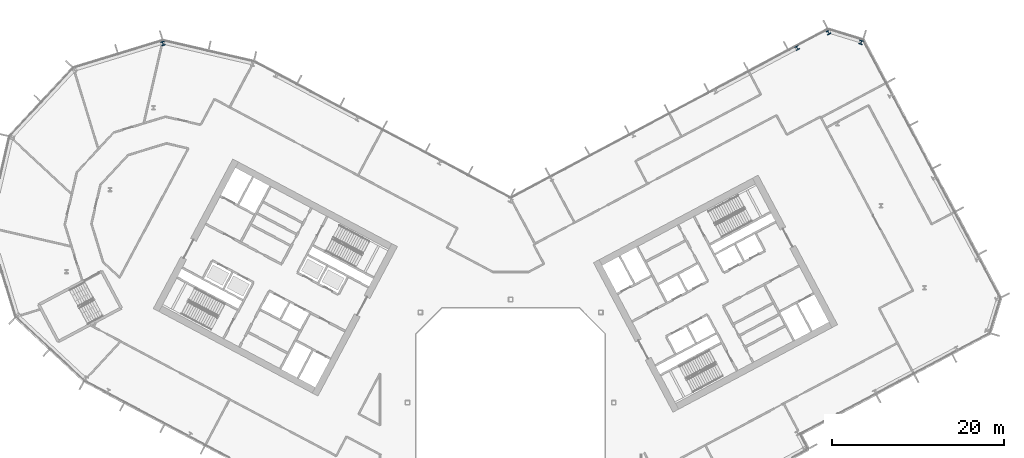
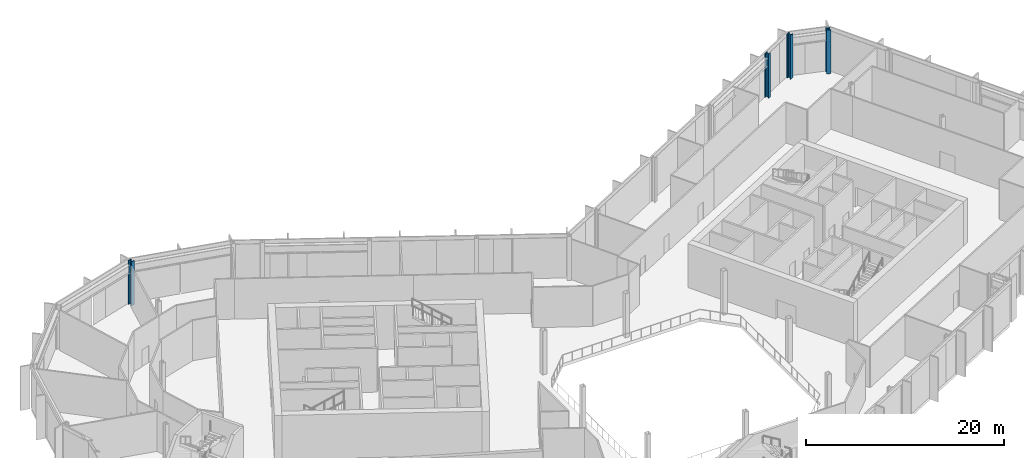
# One storey, part 8 of 31: 4 columns.
"""IFC4 building model written with IfcOpenShell, lengths in metres."""

from ifc_helpers import new_model, si_unit, direction, frame, origin, origin_2d, place, context, subcontext, project, spatial, i_section, extrude, material, material_profile, profile_set, type_object, element, save


model = new_model("IFC4")

# Units and contexts
model_context = context("Model", 3, precision=1e-05, world=origin(), true_north=direction((0.0, 1.0)))
body_context = subcontext(model_context, "Body", "Model", "MODEL_VIEW")
ifc_project = project(units=[si_unit("LENGTHUNIT", "METRE"), si_unit("AREAUNIT", "SQUARE_METRE"), si_unit("VOLUMEUNIT", "CUBIC_METRE"), si_unit("PLANEANGLEUNIT", "RADIAN"), si_unit("MASSUNIT", "GRAM", prefix="KILO")], contexts=[model_context])

# Site, building, storey
site_placement = place(None, origin())
site = spatial("IfcSite", under=ifc_project, at=site_placement, CompositionType="ELEMENT")
building_placement = place(site_placement, origin())
building = spatial("IfcBuilding", under=site, at=building_placement, Name="Cormorant Relay Tower", CompositionType="ELEMENT")
storey_placement = place(building_placement, frame((0.0, 0.0, 178.199951171875)))
storey = spatial("IfcBuildingStorey", under=building, at=storey_placement, Name="L38", CompositionType="ELEMENT", Elevation=178.199951171875)

# Columns
ifc_material_1 = material(Name="Steel ASTM A992 (Fy 345 MPa)", Category="steel")
ifc_material_profile_1 = material_profile(ifc_material_1, i_section(OverallWidth=0.41162109375, OverallDepth=0.434326171875, WebThickness=0.035888671875, FlangeThickness=0.057373046875, FilletRadius=0.01513671875, at=origin_2d()), Name="W360x463")
ifc_profile_set_1 = profile_set([ifc_material_profile_1], Name="Steel ASTM A992 (Fy 345 MPa)")
column_type_1 = type_object("IfcColumnType", Name="Column W360x463", PredefinedType="COLUMN", material=ifc_profile_set_1)
column_placement = place(storey_placement, frame((33.33203125, 41.258056640625, 0.0), z_axis=(0.0, 0.0, 1.0), x_axis=(-0.882947592859, -0.469471562786, 0.0)))
element("IfcColumn", 1, at=column_placement, inside=storey, type_object=column_type_1, Name="Column L38-047", PredefinedType="COLUMN", context=body_context, shape_type="SweptSolid", body=[
    extrude(i_section(OverallWidth=0.41162109375, OverallDepth=0.434326171875, WebThickness=0.035888671875, FlangeThickness=0.057373046875, FilletRadius=0.01513671875, at=origin_2d()), origin(), (0.0, 0.0, 1.0), 5.400146484375),
])
ifc_material_2 = material(Name="Steel ASTM A992 (Fy 345 MPa)", Category="steel")
ifc_material_profile_2 = material_profile(ifc_material_2, i_section(OverallWidth=0.42431640625, OverallDepth=0.47509765625, WebThickness=0.0478515625, FlangeThickness=0.0771484375, FilletRadius=0.014892578125, at=origin_2d()), Name="W360x634")
ifc_profile_set_2 = profile_set([ifc_material_profile_2], Name="Steel ASTM A992 (Fy 345 MPa)")
column_type_2 = type_object("IfcColumnType", Name="Column W360x634", PredefinedType="COLUMN", material=ifc_profile_set_2)
for number, where, z_axis, x_axis, name in (
    (2, (-40.4541015625, 41.783935546875, 0.0), (0.0, 0.0, 1.0), (-0.956304755963, -0.292371704723, 0.0), "Column L38-048"),
    (3, (40.77197265625, 41.9130859375, 0.0), (0.0, 0.0, 1.0), (-0.956304755963, 0.292371704723, 0.0), "Column L38-049"),
    (4, (36.970947265625, 43.075927734375, 0.0), (0.0, 0.0, 1.0), (-0.882947592859, -0.469471562786, 0.0), "Column L38-050"),
):
    element("IfcColumn", number, at=place(storey_placement, frame(where, z_axis=z_axis, x_axis=x_axis)), inside=storey, type_object=column_type_2, Name=name, PredefinedType="COLUMN", context=body_context, shape_type="SweptSolid", body=[
        extrude(i_section(OverallWidth=0.42431640625, OverallDepth=0.47509765625, WebThickness=0.0478515625, FlangeThickness=0.0771484375, FilletRadius=0.014892578125, at=origin_2d()), origin(), (0.0, 0.0, 1.0), 5.400146484375),
    ])

save(model, "model.ifc")
